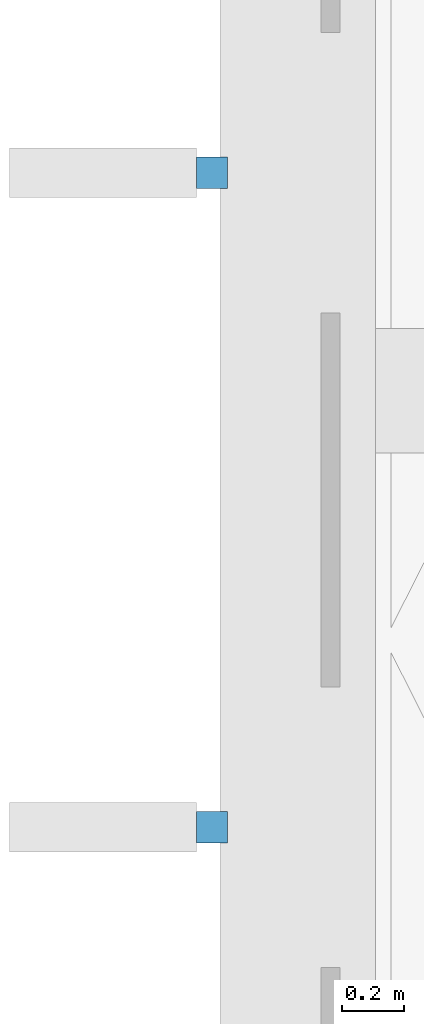
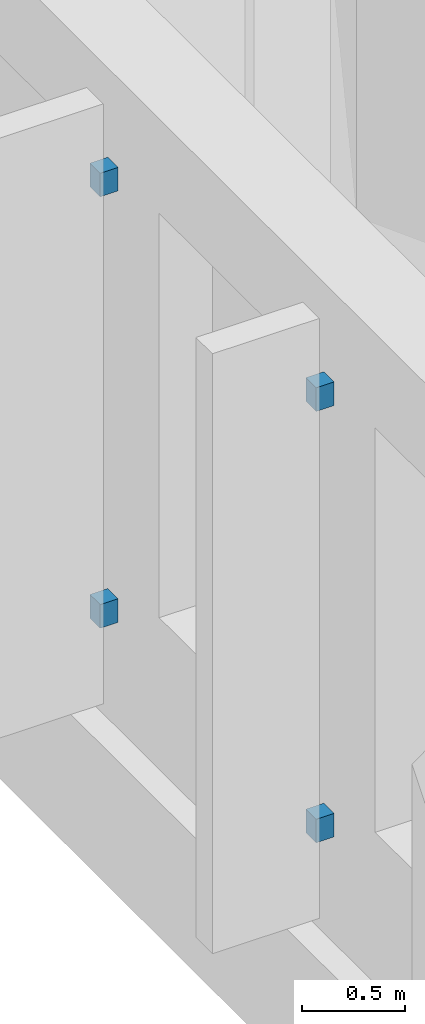
# One storey, part 33 of 47: 4 discrete accessories.
"""IFC4 building model written with IfcOpenShell, lengths in metres."""

from ifc_helpers import new_model, si_unit, direction, frame, origin, origin_2d, place, context, subcontext, project, spatial, rectangle, extrude, material, layer, layer_set, type_object, element, save


model = new_model("IFC4")

# Units and contexts
model_context = context("Model", 3, precision=1e-05, world=origin(), true_north=direction((0.0, 1.0)))
body_context = subcontext(model_context, "Body", "Model", "MODEL_VIEW")
ifc_project = project(units=[si_unit("LENGTHUNIT", "METRE"), si_unit("AREAUNIT", "SQUARE_METRE"), si_unit("VOLUMEUNIT", "CUBIC_METRE"), si_unit("PLANEANGLEUNIT", "RADIAN"), si_unit("MASSUNIT", "GRAM", prefix="KILO")], contexts=[model_context])

# Site, building, storey
site_placement = place(None, origin())
site = spatial("IfcSite", under=ifc_project, at=site_placement, CompositionType="ELEMENT")
building_placement = place(site_placement, origin())
building = spatial("IfcBuilding", under=site, at=building_placement, Name="Larchfold Concert Hall", CompositionType="ELEMENT")
storey_placement = place(building_placement, frame((0.0, 0.0, 24.0)))
storey = spatial("IfcBuildingStorey", under=building, at=storey_placement, Name="L05", CompositionType="ELEMENT", Elevation=24.0)

# Discrete accessories
ifc_material = material(Name="Steel S355 galvanised bracket", Category="steel")
ifc_layer = layer(ifc_material, 0.10009765625)
ifc_layer_set = layer_set([ifc_layer], Name="Steel S355 galvanised bracket")
discrete_accessory_type = type_object("IfcDiscreteAccessoryType", Name="Fin support bracket", PredefinedType="BRACKET", material=ifc_layer_set)
for number, where, z_axis, x_axis, name in (
    (1, (84.3251953125, 38.39990234375, 0.6298828125), (0.0, 0.0, 1.0), (-1.0, 0.0, 0.0), "Fin bracket FN-L05-002-1"),
    (2, (84.3251953125, 38.39990234375, 3.18994140625), (0.0, 0.0, 1.0), (-1.0, 0.0, 0.0), "Fin bracket FN-L05-002-2"),
    (3, (84.3251953125, 40.5, 0.6298828125), (0.0, 0.0, 1.0), (-1.0, 0.0, 0.0), "Fin bracket FN-L05-003-1"),
    (4, (84.3251953125, 40.5, 3.18994140625), (0.0, 0.0, 1.0), (-1.0, 0.0, 0.0), "Fin bracket FN-L05-003-2"),
):
    element("IfcDiscreteAccessory", number, at=place(storey_placement, frame(where, z_axis=z_axis, x_axis=x_axis)), inside=storey, type_object=discrete_accessory_type, Name=name, PredefinedType="BRACKET", context=body_context, shape_type="SweptSolid", body=[
        extrude(rectangle(XDim=0.10009765625, YDim=0.10009765625, at=origin_2d()), origin(), (0.0, 0.0, 1.0), 0.139892578125),
    ])

save(model, "model.ifc")
